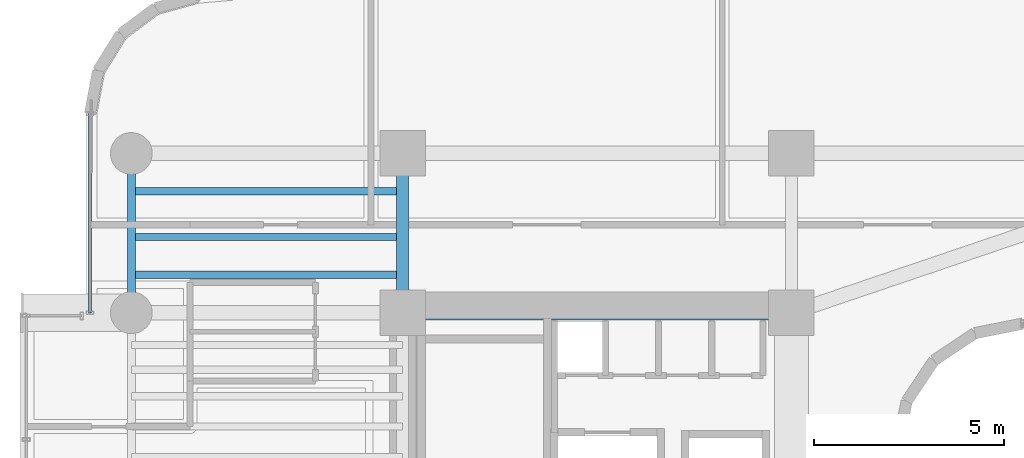
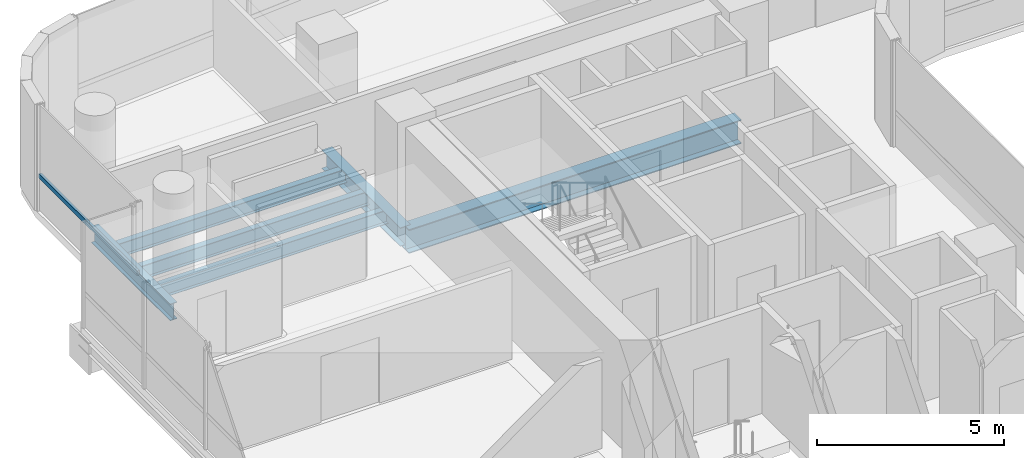
# One storey, part 8 of 35: 6 beams, 1 member, 1 element without a shape of its own.
"""IFC4 building model written with IfcOpenShell, lengths in metres."""

from ifc_helpers import new_model, si_unit, direction, frame, origin, origin_2d, place, context, subcontext, project, spatial, hollow_rectangle, i_section, extrude, source, transform, mapped, material, material_profile, profile_set, type_object, element, aggregate, save


model = new_model("IFC4")

# Units and contexts
model_context = context("Model", 3, precision=1e-05, world=origin(), true_north=direction((0.0, 1.0)))
body_context = subcontext(model_context, "Body", "Model", "MODEL_VIEW")
ifc_project = project(units=[si_unit("LENGTHUNIT", "METRE"), si_unit("AREAUNIT", "SQUARE_METRE"), si_unit("VOLUMEUNIT", "CUBIC_METRE"), si_unit("PLANEANGLEUNIT", "RADIAN"), si_unit("MASSUNIT", "GRAM", prefix="KILO")], contexts=[model_context])

# Site, building, storey
site_placement = place(None, origin())
site = spatial("IfcSite", under=ifc_project, at=site_placement, CompositionType="ELEMENT")
building_placement = place(site_placement, origin())
building = spatial("IfcBuilding", under=site, at=building_placement, Name="Valdorenza Pilgrim Sanctuary Tower", CompositionType="ELEMENT")
storey_placement = place(building_placement, frame((0.0, 0.0, 139.0)))
storey = spatial("IfcBuildingStorey", under=building, at=storey_placement, Name="L35", CompositionType="ELEMENT", Elevation=139.0)

# Beams
ifc_material_1 = material(Name="Steel ASTM A992 Grade 50", Category="steel")
ifc_material_profile_1 = material_profile(ifc_material_1, i_section(OverallWidth=0.214111328125, OverallDepth=0.549072265625, WebThickness=0.0146484375, FlangeThickness=0.023681640625, at=origin_2d()), Name="W21X93")
ifc_profile_set_1 = profile_set([ifc_material_profile_1], Name="Steel ASTM A992 Grade 50")
beam_type_1 = type_object("IfcBeamType", Name="STR-BM-SPN-W21A", PredefinedType="SPANDREL", material=ifc_profile_set_1)
shared_shape_1 = source(origin(), body_context, "Body", "SweptSolid", [
    extrude(i_section(OverallWidth=0.214111328125, OverallDepth=0.549072265625, WebThickness=0.0146484375, FlangeThickness=0.023681640625, at=origin_2d()), origin(), (0.0, 0.0, 1.0), 4.199951171875),
])
beam_1_placement = place(storey_placement, frame((-29.800048828125, 10.60009765625, -0.514404296875), z_axis=(0.0, 1.0, 0.0), x_axis=(-1.0, 0.0, 0.0)))
element("IfcBeam", 1, at=beam_1_placement, inside=storey, type_object=beam_type_1, Name="L35 Spandrel Beam WA-W-N1N2", PredefinedType="SPANDREL", context=body_context, shape_type="MappedRepresentation", body=[
    mapped(shared_shape_1, transform((0.0, 0.0, 0.0), x_axis=(1.0, 0.0, 0.0), y_axis=(0.0, 1.0, 0.0), z_axis=(0.0, 0.0, 1.0), scale=1.0)),
])
ifc_material_profile_2 = material_profile(ifc_material_1, i_section(OverallWidth=0.323974609375, OverallDepth=0.611083984375, WebThickness=0.0126953125, FlangeThickness=0.01904296875, at=origin_2d()), Name="W24X104")
ifc_profile_set_2 = profile_set([ifc_material_profile_2], Name="Steel ASTM A992 Grade 50")
beam_type_2 = type_object("IfcBeamType", Name="STR-BM-GRD-W24B", PredefinedType="BEAM", material=ifc_profile_set_2)
shared_shape_2 = source(origin(), body_context, "Body", "SweptSolid", [
    extrude(i_section(OverallWidth=0.323974609375, OverallDepth=0.611083984375, WebThickness=0.0126953125, FlangeThickness=0.01904296875, at=origin_2d()), origin(), (0.0, 0.0, 1.0), 4.199951171875),
])
beam_2_placement = place(storey_placement, frame((-22.64990234375, 10.60009765625, -0.54541015625), z_axis=(0.0, 1.0, 0.0), x_axis=(-1.0, 0.0, 0.0)))
element("IfcBeam", 2, at=beam_2_placement, inside=storey, type_object=beam_type_2, Name="L35 Core Tie Girder CA-W-N1N2", PredefinedType="BEAM", context=body_context, shape_type="MappedRepresentation", body=[
    mapped(shared_shape_2, transform((0.0, 0.0, 0.0), x_axis=(1.0, 0.0, 0.0), y_axis=(0.0, 1.0, 0.0), z_axis=(0.0, 0.0, 1.0), scale=1.0)),
])
ifc_material_profile_3 = material_profile(ifc_material_1, i_section(OverallWidth=0.382080078125, OverallDepth=0.779052734375, WebThickness=0.01806640625, FlangeThickness=0.030029296875, at=origin_2d()), Name="W30X191")
ifc_profile_set_3 = profile_set([ifc_material_profile_3], Name="Steel ASTM A992 Grade 50")
beam_type_3 = type_object("IfcBeamType", Name="STR-BM-GRD-W30", PredefinedType="BEAM", material=ifc_profile_set_3)
shared_shape_3 = source(origin(), body_context, "Body", "SweptSolid", [
    extrude(i_section(OverallWidth=0.382080078125, OverallDepth=0.779052734375, WebThickness=0.01806640625, FlangeThickness=0.030029296875, at=origin_2d()), origin(), (0.0, 0.0, 1.0), 10.25),
])
beam_3_placement = place(storey_placement, frame((-22.64990234375, 10.60009765625, -0.62939453125), z_axis=(1.0, 0.0, 0.0), x_axis=(0.0, 1.0, 0.0)))
element("IfcBeam", 3, at=beam_3_placement, inside=storey, type_object=beam_type_3, Name="L35 Floor Girder CA-XC-N1", PredefinedType="BEAM", context=body_context, shape_type="MappedRepresentation", body=[
    mapped(shared_shape_3, transform((0.0, 0.0, 0.0), x_axis=(1.0, 0.0, 0.0), y_axis=(0.0, 1.0, 0.0), z_axis=(0.0, 0.0, 1.0), scale=1.0)),
])
ifc_material_profile_4 = material_profile(ifc_material_1, i_section(OverallWidth=0.19091796875, OverallDepth=0.45703125, WebThickness=0.009033203125, FlangeThickness=0.014404296875, at=origin_2d()), Name="W18X50")
ifc_profile_set_4 = profile_set([ifc_material_profile_4], Name="Steel ASTM A992 Grade 50")
beam_type_4 = type_object("IfcBeamType", Name="STR-BM-JST-W18B", PredefinedType="JOIST", material=ifc_profile_set_4)
shared_shape_4 = source(origin(), body_context, "Body", "SweptSolid", [
    extrude(i_section(OverallWidth=0.19091796875, OverallDepth=0.45703125, WebThickness=0.009033203125, FlangeThickness=0.014404296875, at=origin_2d()), origin(), (0.0, 0.0, 1.0), 7.150146484375),
])
for number, where, z_axis, x_axis, name in (
    (4, (-29.800048828125, 11.60009765625, -0.468505859375), (1.0, 0.0, 0.0), (0.0, 1.0, 0.0), "L35 Composite Floor Joist JST-WA-24"),
    (5, (-29.800048828125, 12.60009765625, -0.468505859375), (1.0, 0.0, 0.0), (0.0, 1.0, 0.0), "L35 Composite Floor Joist JST-WA-25"),
    (6, (-29.800048828125, 13.800048828125, -0.468505859375), (1.0, 0.0, 0.0), (0.0, 1.0, 0.0), "L35 Composite Floor Joist JST-WA-26"),
):
    element("IfcBeam", number, at=place(storey_placement, frame(where, z_axis=z_axis, x_axis=x_axis)), inside=storey, type_object=beam_type_4, Name=name, PredefinedType="JOIST", context=body_context, shape_type="MappedRepresentation", body=[
        mapped(shared_shape_4, transform((0.0, 0.0, 0.0), x_axis=(1.0, 0.0, 0.0), y_axis=(0.0, 1.0, 0.0), z_axis=(0.0, 0.0, 1.0), scale=1.0)),
    ])

# Curtain wall, member
ifc_material_2 = material(Name="Curtain-wall IGU glazing", Category="glass")
curtain_wall_type = type_object("IfcCurtainWallType", Name="CW-SYS-02", PredefinedType="NOTDEFINED", material=ifc_material_2)
curtain_wall_placement = place(storey_placement, origin())
curtain_wall = element("IfcCurtainWall", 7, at=curtain_wall_placement, inside=storey, type_object=curtain_wall_type, Name="L35 Curtain Wall CW-L35-1-1S2", PredefinedType="NOTDEFINED")
ifc_material_3 = material(Name="Anodised aluminium AW-6060", Category="aluminium")
ifc_material_profile_5 = material_profile(ifc_material_3, hollow_rectangle(XDim=0.074951171875, YDim=0.14990234375, WallThickness=0.00390625, at=origin_2d()), Name="ALU-T 150x75x4")
ifc_profile_set_5 = profile_set([ifc_material_profile_5], Name="Anodised aluminium AW-6060")
member_type = type_object("IfcMemberType", Name="CW-TRN-02", PredefinedType="USERDEFINED", material=ifc_profile_set_5)
shared_shape_5 = source(origin(), body_context, "Body", "SweptSolid", [
    extrude(hollow_rectangle(XDim=0.074951171875, YDim=0.14990234375, WallThickness=0.00390625, at=origin_2d()), origin(), (0.0, 0.0, 1.0), 5.250244140625),
])
member_placement = place(storey_placement, frame((-30.889892578125, 10.60009765625, 1.1201171875), z_axis=(0.0, 1.0, 0.0), x_axis=(-1.0, 0.0, 0.0)))
member = element("IfcMember", 8, at=member_placement, type_object=member_type, Name="CW-L35-1-1S2 Transom 1", ObjectType="TRANSOM", PredefinedType="USERDEFINED", context=body_context, shape_type="MappedRepresentation", body=[
    mapped(shared_shape_5, transform((0.0, 0.0, 0.0), x_axis=(1.0, 0.0, 0.0), y_axis=(0.0, 1.0, 0.0), z_axis=(0.0, 0.0, 1.0), scale=1.0)),
])
aggregate(curtain_wall, [member])

save(model, "model.ifc")
